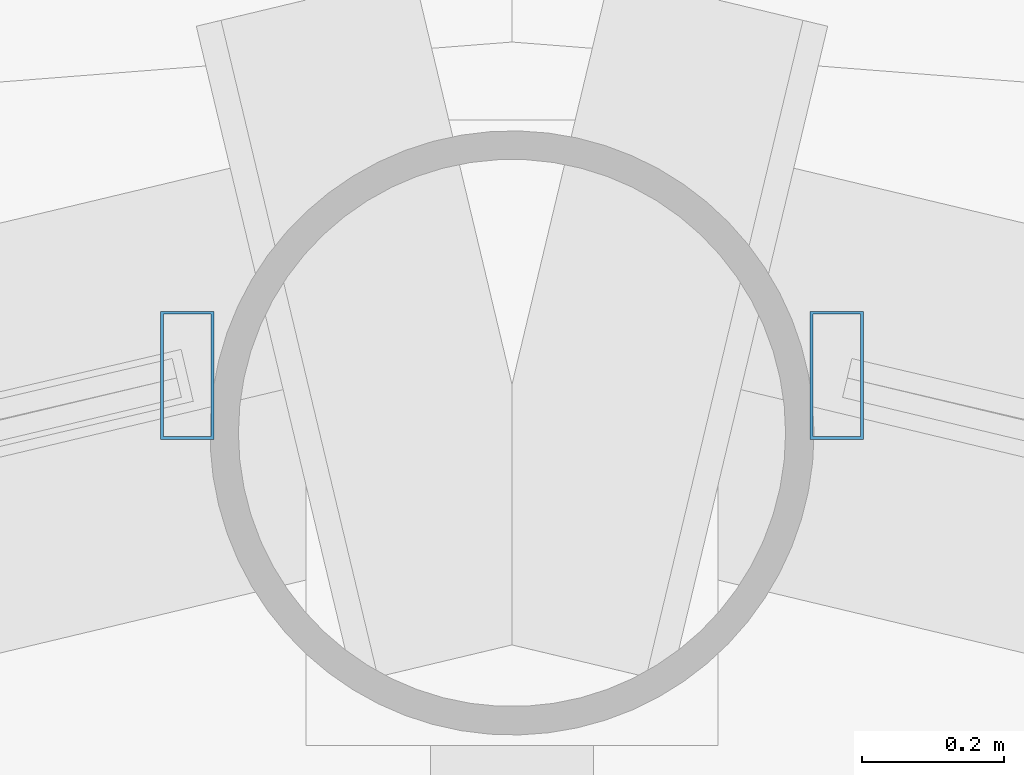
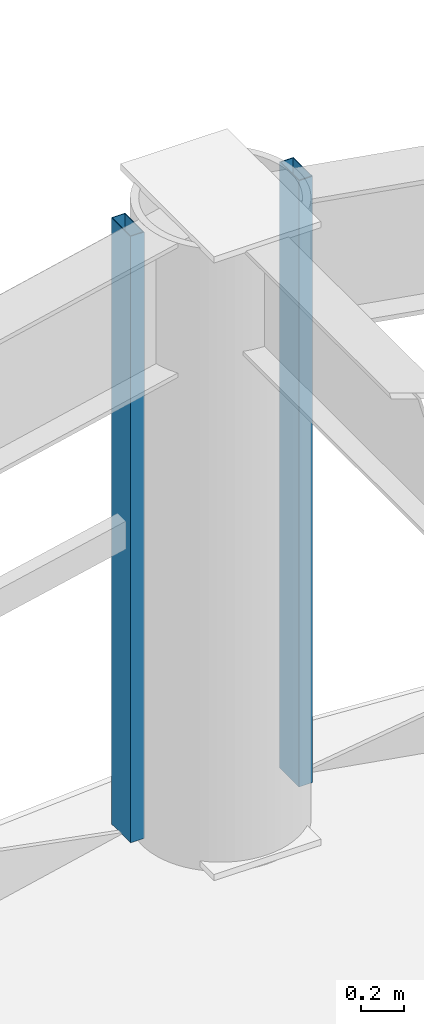
# One storey, part 17 of 30: 2 members, 2 elements without a shape of their own.
"""IFC4 building model written with IfcOpenShell, lengths in metres."""

import ifcopenshell
import ifcopenshell.guid

model = None  # the IFC model being written
_history = None  # IfcOwnerHistory: only IFC2X3 demands one
_inside = {}  # id of a spatial element -> (the spatial element, [elements in it])
_under = {}  # id of a project, library or spatial element -> (it, [spatial elements below it])
_declared = {}  # id of a project -> (the project, [libraries it declares])
_typed = {}  # id of a type object -> (the type object, [elements of that type])
_made_of = {}  # id of a material, layer set ... -> (it, [elements and type objects made of it])


def new_model(schema):
    """Start an empty IFC model of exactly this schema.

    Asked for "IFC4X3", IfcOpenShell would pick the latest addendum, in which some entities
    have other attributes; the version numbers below select the first issue.
    IFC2X3 requires an IfcOwnerHistory on every rooted entity: one is made here for all.
    """
    global model, _history
    if schema == "IFC4X3":
        model = ifcopenshell.file(schema_version=(4, 3, 0, 0))
    else:
        model = ifcopenshell.file(schema=schema)
    _inside.clear()
    _under.clear()
    _declared.clear()
    _typed.clear()
    _made_of.clear()
    _history = None
    if model.schema == "IFC2X3":
        org = make("IfcOrganization", Name="unknown")
        user = make(
            "IfcPersonAndOrganization",
            ThePerson=make("IfcPerson", FamilyName="unknown"),
            TheOrganization=org,
        )
        app = make(
            "IfcApplication",
            ApplicationDeveloper=org,
            Version="unknown",
            ApplicationFullName="unknown",
            ApplicationIdentifier="unknown",
        )
        _history = make(
            "IfcOwnerHistory",
            OwningUser=user,
            OwningApplication=app,
            ChangeAction="ADDED",
            CreationDate=0,
        )
    return model


def make(cls, **values):
    """One entity of the class cls with the attributes given. An attribute that is None is left unset."""
    return model.create_entity(
        cls, **{name: value for name, value in values.items() if value is not None}
    )


def rooted(cls, **values):
    """An entity with a GlobalId (a new one), such as an element, a storey or a relation."""
    return make(cls, GlobalId=ifcopenshell.guid.new(), OwnerHistory=_history, **values)


def si_unit(unit_type, name, prefix=None):
    """IfcSIUnit, for example si_unit("LENGTHUNIT", "METRE", prefix="MILLI")."""
    return make("IfcSIUnit", UnitType=unit_type, Prefix=prefix, Name=name)


def assignment(units):
    """IfcUnitAssignment: the units of a project."""
    return None if units is None else make("IfcUnitAssignment", Units=units)


def point(xyz):
    """IfcCartesianPoint."""
    return None if xyz is None else make("IfcCartesianPoint", Coordinates=xyz)


def direction(xyz):
    """IfcDirection."""
    return None if xyz is None else make("IfcDirection", DirectionRatios=xyz)


def frame(location, z_axis=None, x_axis=None):
    """IfcAxis2Placement3D, a coordinate frame: its origin and axes. An axis left out is left unset."""
    return make(
        "IfcAxis2Placement3D",
        Location=point(location),
        Axis=direction(z_axis),
        RefDirection=direction(x_axis),
    )


def frame_2d(location, x_axis=None):
    """IfcAxis2Placement2D, a coordinate frame in the plane: its origin and x axis."""
    return make(
        "IfcAxis2Placement2D", Location=point(location), RefDirection=direction(x_axis)
    )


def origin():
    """The frame at (0, 0, 0) with its axes left unset."""
    return frame((0.0, 0.0, 0.0))


def origin_2d():
    """The frame at (0, 0) in the plane with its x axis left unset."""
    return frame_2d((0.0, 0.0))


def place(relative_to, where):
    """IfcLocalPlacement: puts the frame where relative to a parent placement (None: the world)."""
    return make(
        "IfcLocalPlacement", PlacementRelTo=relative_to, RelativePlacement=where
    )


def context(
    kind, dimensions, precision=None, world=None, true_north=None, identifier=None
):
    """IfcGeometricRepresentationContext, for example the 3D "Model" context."""
    return make(
        "IfcGeometricRepresentationContext",
        ContextIdentifier=identifier,
        ContextType=kind,
        CoordinateSpaceDimension=dimensions,
        Precision=precision,
        WorldCoordinateSystem=world,
        TrueNorth=true_north,
    )


def subcontext(parent, identifier, kind, view, scale=None):
    """IfcGeometricRepresentationSubContext, for example "Body" below "Model"."""
    return make(
        "IfcGeometricRepresentationSubContext",
        ContextIdentifier=identifier,
        ContextType=kind,
        ParentContext=parent,
        TargetScale=scale,
        TargetView=view,
    )


def project(units=None, contexts=None):
    """IfcProject with its units and contexts."""
    return rooted(
        "IfcProject",
        Name="project",
        RepresentationContexts=contexts,
        UnitsInContext=assignment(units),
    )


def spatial(cls, under=None, at=None, **own):
    """A site, building, storey or space (cls), placed at a placement, below another one or the project."""
    s = rooted(cls, ObjectPlacement=at, **own)
    if under is not None:
        _under.setdefault(under.id(), (under, []))[1].append(s)
    return s


def profile(cls, at=None, kind="AREA", **sizes):
    """A parametric profile (cls). Its sizes go by their IFC names, for example OverallWidth=200.0."""
    return make(cls, ProfileType=kind, Position=at, **sizes)


def hollow_rectangle(**sizes):
    """IfcRectangleHollowProfileDef."""
    return profile("IfcRectangleHollowProfileDef", **sizes)


def extrude(swept, where, along, depth):
    """IfcExtrudedAreaSolid: the profile swept, set in the frame where, extruded along a direction by depth."""
    return make(
        "IfcExtrudedAreaSolid",
        SweptArea=swept,
        Position=where,
        ExtrudedDirection=direction(along),
        Depth=depth,
    )


def shape(context_of_items, identifier, shape_type, items):
    """IfcShapeRepresentation: the items that make up one representation, for example the "Body"."""
    return make(
        "IfcShapeRepresentation",
        ContextOfItems=context_of_items,
        RepresentationIdentifier=identifier,
        RepresentationType=shape_type,
        Items=items,
    )


def material(Name=None, Category=None):
    """IfcMaterial."""
    return make("IfcMaterial", Name=Name, Category=Category)


def layer(
    of_material, thickness, ventilated=None, Name=None, Category=None, Priority=None
):
    """IfcMaterialLayer: one layer of a wall or slab, of a material (None: an air gap)."""
    return make(
        "IfcMaterialLayer",
        Material=of_material,
        LayerThickness=thickness,
        IsVentilated=ventilated,
        Name=Name,
        Category=Category,
        Priority=Priority,
    )


def layer_set(layers, Name=None):
    """IfcMaterialLayerSet."""
    return make("IfcMaterialLayerSet", MaterialLayers=layers, LayerSetName=Name)


def material_profile(
    of_material, cross_section, Name=None, Category=None, Priority=None
):
    """IfcMaterialProfile: a cross section and its material."""
    return make(
        "IfcMaterialProfile",
        Name=Name,
        Material=of_material,
        Profile=cross_section,
        Priority=Priority,
        Category=Category,
    )


def profile_set(profiles, Name=None, composite=None):
    """IfcMaterialProfileSet."""
    return make(
        "IfcMaterialProfileSet",
        Name=Name,
        MaterialProfiles=profiles,
        CompositeProfile=composite,
    )


def made_of(thing, what):
    """Note that an element or type object is made of a material, layer set ...; save() writes the relation."""
    if what is not None:
        _made_of.setdefault(what.id(), (what, []))[1].append(thing)
    return thing


def type_object(cls, material=None, **own):
    """A type object (cls), such as IfcWallType, which elements share."""
    return made_of(rooted(cls, **own), material)


def element(
    cls,
    number,
    at=None,
    inside=None,
    cuts=None,
    type_object=None,
    material=None,
    context=None,
    identifier="Body",
    shape_type=None,
    held_by="IfcProductDefinitionShape",
    body=None,
    shapes=None,
    **own,
):
    """One element of the class cls, such as IfcWall. Its Tag is "e" and its number.

    at: its placement. inside: the storey or other place that contains it. cuts: it is an
    opening in that element (IfcRelVoidsElement). A single representation is given by context,
    identifier, shape_type and body (its items); several are given by shapes. held_by: the class
    of the entity that holds the representations. save() writes the other relations.
    """
    e = rooted(cls, Tag="e%d" % number, ObjectPlacement=at, **own)
    if body is not None:
        shapes = [shape(context, identifier, shape_type, body)]
    if shapes is not None:
        e.Representation = make(held_by, Representations=shapes)
    if inside is not None:
        _inside.setdefault(inside.id(), (inside, []))[1].append(e)
    if cuts is not None:
        rooted(
            "IfcRelVoidsElement", RelatingBuildingElement=cuts, RelatedOpeningElement=e
        )
    if type_object is not None:
        _typed.setdefault(type_object.id(), (type_object, []))[1].append(e)
    return made_of(e, material)


def aggregate(whole, parts):
    """IfcRelAggregates: a whole, such as a stair, and the parts it consists of."""
    return rooted("IfcRelAggregates", RelatingObject=whole, RelatedObjects=parts)


def save(model, path):
    """Write the relations noted so far, then the file.

    IfcRelAggregates (storeys below a building ...), IfcRelContainedInSpatialStructure (elements
    in a storey), IfcRelDefinesByType, IfcRelAssociatesMaterial and IfcRelDeclares: one each for
    every whole, place, type object, material and project.
    """
    for whole, parts in _under.values():
        aggregate(whole, parts)
    for where, things in _inside.values():
        rooted(
            "IfcRelContainedInSpatialStructure",
            RelatedElements=things,
            RelatingStructure=where,
        )
    for kind, things in _typed.values():
        rooted("IfcRelDefinesByType", RelatedObjects=things, RelatingType=kind)
    for what, things in _made_of.values():
        rooted("IfcRelAssociatesMaterial", RelatedObjects=things, RelatingMaterial=what)
    for by, libraries in _declared.values():
        rooted("IfcRelDeclares", RelatingContext=by, RelatedDefinitions=libraries)
    model.write(path)


model = new_model("IFC4")

# Units and contexts
model_context = context("Model", 3, precision=1e-05, world=origin(), true_north=direction((0.0, 1.0)))
body_context = subcontext(model_context, "Body", "Model", "MODEL_VIEW")
ifc_project = project(units=[si_unit("LENGTHUNIT", "METRE"), si_unit("AREAUNIT", "SQUARE_METRE"), si_unit("VOLUMEUNIT", "CUBIC_METRE"), si_unit("PLANEANGLEUNIT", "RADIAN"), si_unit("MASSUNIT", "GRAM", prefix="KILO")], contexts=[model_context])

# Site, building, storey
site_placement = place(None, origin())
site = spatial("IfcSite", under=ifc_project, at=site_placement, CompositionType="ELEMENT")
building_placement = place(site_placement, origin())
building = spatial("IfcBuilding", under=site, at=building_placement, Name="Vantalir Tower", CompositionType="ELEMENT")
storey_placement = place(building_placement, frame((0.0, 0.0, 57.0)))
storey = spatial("IfcBuildingStorey", under=building, at=storey_placement, Name="L13", CompositionType="ELEMENT", Elevation=57.0)

# Curtain wall, member
ifc_material_1 = material(Name="Champagne-silver PVDF aluminium and double-silver Low-E glass", Category="aluminium")
ifc_layer = layer(ifc_material_1, 0.18994140625)
ifc_layer_set = layer_set([ifc_layer], Name="Champagne-silver PVDF aluminium and double-silver Low-E glass")
curtain_wall_type = type_object("IfcCurtainWallType", Name="CW-DIAMOND-Z1", PredefinedType="USERDEFINED", material=ifc_layer_set)
curtain_wall_1_placement = place(storey_placement, origin())
curtain_wall_1 = element("IfcCurtainWall", 1, at=curtain_wall_1_placement, inside=storey, type_object=curtain_wall_type, Name="L13 Quilted Pyramid-Diamond Curtain Wall S03", ObjectType="UNITISED CURTAIN WALL", PredefinedType="USERDEFINED")
ifc_material_2 = material(Name="Champagne-silver PVDF aluminium 6063-T6", Category="aluminium")
ifc_material_profile = material_profile(ifc_material_2, hollow_rectangle(XDim=0.074951171875, YDim=0.179931640625, WallThickness=0.00390625, at=origin_2d()), Name="Champagne-silver PVDF aluminium 6063-T6")
ifc_profile_set = profile_set([ifc_material_profile], Name="Champagne-silver PVDF aluminium 6063-T6")
member_type = type_object("IfcMemberType", Name="CWM-180x75", PredefinedType="MULLION", material=ifc_profile_set)
member_1_placement = place(storey_placement, frame((31.95703125, 49.531982421875, 0.044921875), z_axis=(0.0, 0.0, 1.0), x_axis=(1.0, 0.0, 0.0)))
member_1 = element("IfcMember", 2, at=member_1_placement, type_object=member_type, Name="CW-L13-S03 Mullion 2", PredefinedType="MULLION", context=body_context, shape_type="SweptSolid", body=[
    extrude(hollow_rectangle(XDim=0.074951171875, YDim=0.179931640625, WallThickness=0.00390625, at=origin_2d()), origin(), (0.0, 0.0, 1.0), 3.47998046875),
])
aggregate(curtain_wall_1, [member_1])

curtain_wall_2_placement = place(storey_placement, origin())
curtain_wall_2 = element("IfcCurtainWall", 3, at=curtain_wall_2_placement, inside=storey, type_object=curtain_wall_type, Name="L13 Quilted Pyramid-Diamond Curtain Wall S04", ObjectType="UNITISED CURTAIN WALL", PredefinedType="USERDEFINED")
member_2_placement = place(storey_placement, frame((31.04296875, 49.531982421875, 0.044921875), z_axis=(0.0, 0.0, 1.0), x_axis=(1.0, 0.0, 0.0)))
member_2 = element("IfcMember", 4, at=member_2_placement, type_object=member_type, Name="CW-L13-S04 Mullion 1", PredefinedType="MULLION", context=body_context, shape_type="SweptSolid", body=[
    extrude(hollow_rectangle(XDim=0.074951171875, YDim=0.179931640625, WallThickness=0.00390625, at=origin_2d()), origin(), (0.0, 0.0, 1.0), 3.47998046875),
])
aggregate(curtain_wall_2, [member_2])

save(model, "model.ifc")
